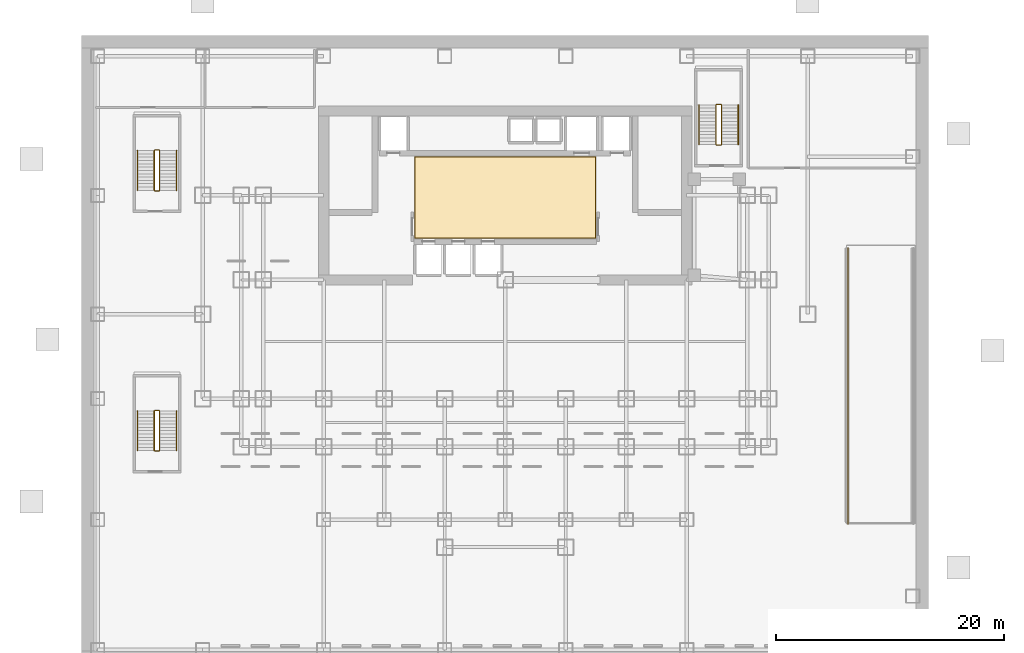
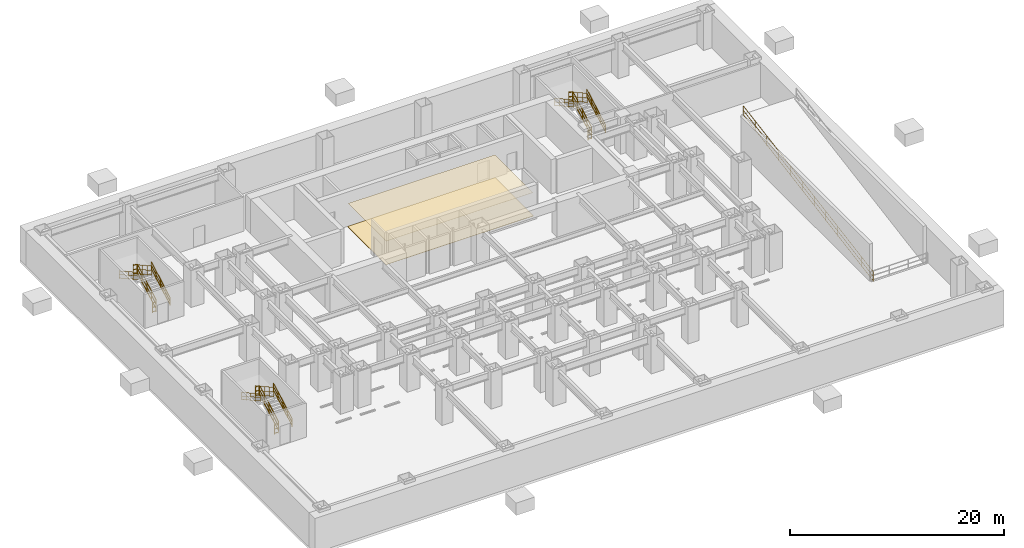
# One storey, part 6 of 7: 19 railings, 2 coverings.
"""IFC4 building model written with IfcOpenShell, lengths in metres."""

import ifcopenshell
import ifcopenshell.guid

model = None  # the IFC model being written
_history = None  # IfcOwnerHistory: only IFC2X3 demands one
_inside = {}  # id of a spatial element -> (the spatial element, [elements in it])
_under = {}  # id of a project, library or spatial element -> (it, [spatial elements below it])
_declared = {}  # id of a project -> (the project, [libraries it declares])
_typed = {}  # id of a type object -> (the type object, [elements of that type])
_made_of = {}  # id of a material, layer set ... -> (it, [elements and type objects made of it])


def new_model(schema):
    """Start an empty IFC model of exactly this schema.

    Asked for "IFC4X3", IfcOpenShell would pick the latest addendum, in which some entities
    have other attributes; the version numbers below select the first issue.
    IFC2X3 requires an IfcOwnerHistory on every rooted entity: one is made here for all.
    """
    global model, _history
    if schema == "IFC4X3":
        model = ifcopenshell.file(schema_version=(4, 3, 0, 0))
    else:
        model = ifcopenshell.file(schema=schema)
    _inside.clear()
    _under.clear()
    _declared.clear()
    _typed.clear()
    _made_of.clear()
    _history = None
    if model.schema == "IFC2X3":
        org = make("IfcOrganization", Name="unknown")
        user = make(
            "IfcPersonAndOrganization",
            ThePerson=make("IfcPerson", FamilyName="unknown"),
            TheOrganization=org,
        )
        app = make(
            "IfcApplication",
            ApplicationDeveloper=org,
            Version="unknown",
            ApplicationFullName="unknown",
            ApplicationIdentifier="unknown",
        )
        _history = make(
            "IfcOwnerHistory",
            OwningUser=user,
            OwningApplication=app,
            ChangeAction="ADDED",
            CreationDate=0,
        )
    return model


def make(cls, **values):
    """One entity of the class cls with the attributes given. An attribute that is None is left unset."""
    return model.create_entity(
        cls, **{name: value for name, value in values.items() if value is not None}
    )


def rooted(cls, **values):
    """An entity with a GlobalId (a new one), such as an element, a storey or a relation."""
    return make(cls, GlobalId=ifcopenshell.guid.new(), OwnerHistory=_history, **values)


def si_unit(unit_type, name, prefix=None):
    """IfcSIUnit, for example si_unit("LENGTHUNIT", "METRE", prefix="MILLI")."""
    return make("IfcSIUnit", UnitType=unit_type, Prefix=prefix, Name=name)


def assignment(units):
    """IfcUnitAssignment: the units of a project."""
    return None if units is None else make("IfcUnitAssignment", Units=units)


def point(xyz):
    """IfcCartesianPoint."""
    return None if xyz is None else make("IfcCartesianPoint", Coordinates=xyz)


def direction(xyz):
    """IfcDirection."""
    return None if xyz is None else make("IfcDirection", DirectionRatios=xyz)


def frame(location, z_axis=None, x_axis=None):
    """IfcAxis2Placement3D, a coordinate frame: its origin and axes. An axis left out is left unset."""
    return make(
        "IfcAxis2Placement3D",
        Location=point(location),
        Axis=direction(z_axis),
        RefDirection=direction(x_axis),
    )


def frame_2d(location, x_axis=None):
    """IfcAxis2Placement2D, a coordinate frame in the plane: its origin and x axis."""
    return make(
        "IfcAxis2Placement2D", Location=point(location), RefDirection=direction(x_axis)
    )


def origin():
    """The frame at (0, 0, 0) with its axes left unset."""
    return frame((0.0, 0.0, 0.0))


def origin_2d():
    """The frame at (0, 0) in the plane with its x axis left unset."""
    return frame_2d((0.0, 0.0))


def place(relative_to, where):
    """IfcLocalPlacement: puts the frame where relative to a parent placement (None: the world)."""
    return make(
        "IfcLocalPlacement", PlacementRelTo=relative_to, RelativePlacement=where
    )


def context(
    kind, dimensions, precision=None, world=None, true_north=None, identifier=None
):
    """IfcGeometricRepresentationContext, for example the 3D "Model" context."""
    return make(
        "IfcGeometricRepresentationContext",
        ContextIdentifier=identifier,
        ContextType=kind,
        CoordinateSpaceDimension=dimensions,
        Precision=precision,
        WorldCoordinateSystem=world,
        TrueNorth=true_north,
    )


def subcontext(parent, identifier, kind, view, scale=None):
    """IfcGeometricRepresentationSubContext, for example "Body" below "Model"."""
    return make(
        "IfcGeometricRepresentationSubContext",
        ContextIdentifier=identifier,
        ContextType=kind,
        ParentContext=parent,
        TargetScale=scale,
        TargetView=view,
    )


def project(units=None, contexts=None):
    """IfcProject with its units and contexts."""
    return rooted(
        "IfcProject",
        Name="project",
        RepresentationContexts=contexts,
        UnitsInContext=assignment(units),
    )


def spatial(cls, under=None, at=None, **own):
    """A site, building, storey or space (cls), placed at a placement, below another one or the project."""
    s = rooted(cls, ObjectPlacement=at, **own)
    if under is not None:
        _under.setdefault(under.id(), (under, []))[1].append(s)
    return s


def polyline(points):
    """IfcPolyline through the points."""
    return make("IfcPolyline", Points=[point(p) for p in points])


def profile(cls, at=None, kind="AREA", **sizes):
    """A parametric profile (cls). Its sizes go by their IFC names, for example OverallWidth=200.0."""
    return make(cls, ProfileType=kind, Position=at, **sizes)


def circle(**sizes):
    """IfcCircleProfileDef."""
    return profile("IfcCircleProfileDef", **sizes)


def outline(outer, holes=None, kind="AREA"):
    """IfcArbitraryClosedProfileDef: a profile drawn as a closed curve; with holes, ...WithVoids."""
    if holes is None:
        return make("IfcArbitraryClosedProfileDef", ProfileType=kind, OuterCurve=outer)
    return make(
        "IfcArbitraryProfileDefWithVoids",
        ProfileType=kind,
        OuterCurve=outer,
        InnerCurves=holes,
    )


def extrude(swept, where, along, depth):
    """IfcExtrudedAreaSolid: the profile swept, set in the frame where, extruded along a direction by depth."""
    return make(
        "IfcExtrudedAreaSolid",
        SweptArea=swept,
        Position=where,
        ExtrudedDirection=direction(along),
        Depth=depth,
    )


def shape(context_of_items, identifier, shape_type, items):
    """IfcShapeRepresentation: the items that make up one representation, for example the "Body"."""
    return make(
        "IfcShapeRepresentation",
        ContextOfItems=context_of_items,
        RepresentationIdentifier=identifier,
        RepresentationType=shape_type,
        Items=items,
    )


def material(Name=None, Category=None):
    """IfcMaterial."""
    return make("IfcMaterial", Name=Name, Category=Category)


def layer(
    of_material, thickness, ventilated=None, Name=None, Category=None, Priority=None
):
    """IfcMaterialLayer: one layer of a wall or slab, of a material (None: an air gap)."""
    return make(
        "IfcMaterialLayer",
        Material=of_material,
        LayerThickness=thickness,
        IsVentilated=ventilated,
        Name=Name,
        Category=Category,
        Priority=Priority,
    )


def layer_set(layers, Name=None):
    """IfcMaterialLayerSet."""
    return make("IfcMaterialLayerSet", MaterialLayers=layers, LayerSetName=Name)


def made_of(thing, what):
    """Note that an element or type object is made of a material, layer set ...; save() writes the relation."""
    if what is not None:
        _made_of.setdefault(what.id(), (what, []))[1].append(thing)
    return thing


def type_object(cls, material=None, **own):
    """A type object (cls), such as IfcWallType, which elements share."""
    return made_of(rooted(cls, **own), material)


def element(
    cls,
    number,
    at=None,
    inside=None,
    cuts=None,
    type_object=None,
    material=None,
    context=None,
    identifier="Body",
    shape_type=None,
    held_by="IfcProductDefinitionShape",
    body=None,
    shapes=None,
    **own,
):
    """One element of the class cls, such as IfcWall. Its Tag is "e" and its number.

    at: its placement. inside: the storey or other place that contains it. cuts: it is an
    opening in that element (IfcRelVoidsElement). A single representation is given by context,
    identifier, shape_type and body (its items); several are given by shapes. held_by: the class
    of the entity that holds the representations. save() writes the other relations.
    """
    e = rooted(cls, Tag="e%d" % number, ObjectPlacement=at, **own)
    if body is not None:
        shapes = [shape(context, identifier, shape_type, body)]
    if shapes is not None:
        e.Representation = make(held_by, Representations=shapes)
    if inside is not None:
        _inside.setdefault(inside.id(), (inside, []))[1].append(e)
    if cuts is not None:
        rooted(
            "IfcRelVoidsElement", RelatingBuildingElement=cuts, RelatedOpeningElement=e
        )
    if type_object is not None:
        _typed.setdefault(type_object.id(), (type_object, []))[1].append(e)
    return made_of(e, material)


def aggregate(whole, parts):
    """IfcRelAggregates: a whole, such as a stair, and the parts it consists of."""
    return rooted("IfcRelAggregates", RelatingObject=whole, RelatedObjects=parts)


def save(model, path):
    """Write the relations noted so far, then the file.

    IfcRelAggregates (storeys below a building ...), IfcRelContainedInSpatialStructure (elements
    in a storey), IfcRelDefinesByType, IfcRelAssociatesMaterial and IfcRelDeclares: one each for
    every whole, place, type object, material and project.
    """
    for whole, parts in _under.values():
        aggregate(whole, parts)
    for where, things in _inside.values():
        rooted(
            "IfcRelContainedInSpatialStructure",
            RelatedElements=things,
            RelatingStructure=where,
        )
    for kind, things in _typed.values():
        rooted("IfcRelDefinesByType", RelatedObjects=things, RelatingType=kind)
    for what, things in _made_of.values():
        rooted("IfcRelAssociatesMaterial", RelatedObjects=things, RelatingMaterial=what)
    for by, libraries in _declared.values():
        rooted("IfcRelDeclares", RelatingContext=by, RelatedDefinitions=libraries)
    model.write(path)


model = new_model("IFC4")

# Units and contexts
model_context = context("Model", 3, precision=1e-05, world=origin(), true_north=direction((0.0, 1.0)))
body_context = subcontext(model_context, "Body", "Model", "MODEL_VIEW")
ifc_project = project(units=[si_unit("LENGTHUNIT", "METRE"), si_unit("AREAUNIT", "SQUARE_METRE"), si_unit("VOLUMEUNIT", "CUBIC_METRE"), si_unit("PLANEANGLEUNIT", "RADIAN"), si_unit("MASSUNIT", "GRAM", prefix="KILO")], contexts=[model_context])

# Site, building, storey
site_placement = place(None, origin())
site = spatial("IfcSite", under=ifc_project, at=site_placement, CompositionType="ELEMENT")
building_placement = place(site_placement, origin())
building = spatial("IfcBuilding", under=site, at=building_placement, Name="Qianlan Lanfeng Residences", CompositionType="ELEMENT")
storey_placement = place(building_placement, frame((0.0, 0.0, -4.199951171875)))
storey = spatial("IfcBuildingStorey", under=building, at=storey_placement, Name="B1", CompositionType="ELEMENT", Elevation=-4.199951171875)

# Coverings
ifc_material_1 = material(Name="Acoustic Perforated Gypsum Ceiling Board")
ifc_layer_1 = layer(ifc_material_1, 0.02001953125)
ifc_layer_set_1 = layer_set([ifc_layer_1], Name="Acoustic Perforated Gypsum Ceiling Board")
covering_type_1 = type_object("IfcCoveringType", Name="CLG-GYP-15", PredefinedType="CEILING", material=ifc_layer_set_1)
covering_1_placement = place(storey_placement, frame((0.0, 0.0, 2.639892578125)))
element("IfcCovering", 1, at=covering_1_placement, inside=storey, type_object=covering_type_1, Name="B1 Lift Lobby Suspended Ceiling", PredefinedType="CEILING", context=body_context, shape_type="SweptSolid", body=[
    extrude(outline(polyline([(18.60009765625, 28.8701171875), (34.39990234375, 28.8701171875), (34.39990234375, 35.9599609375), (18.60009765625, 35.9599609375), (18.60009765625, 28.8701171875)])), origin(), (0.0, 0.0, 1.0), 0.02001953125),
])
ifc_material_2 = material(Name="Honed Taitung Granite Stone Flooring", Category="masonry")
ifc_layer_2 = layer(ifc_material_2, 0.030029296875)
ifc_layer_set_2 = layer_set([ifc_layer_2], Name="Honed Taitung Granite Stone Flooring")
covering_type_2 = type_object("IfcCoveringType", Name="FLR-STN-30", PredefinedType="FLOORING", material=ifc_layer_set_2)
covering_2_placement = place(storey_placement, origin())
element("IfcCovering", 2, at=covering_2_placement, inside=storey, type_object=covering_type_2, Name="B1 Lift Lobby Floor Finish", PredefinedType="FLOORING", context=body_context, shape_type="SweptSolid", body=[
    extrude(outline(polyline([(18.550048828125, 28.820068359375), (34.449951171875, 28.820068359375), (34.449951171875, 36.010009765625), (18.550048828125, 36.010009765625), (18.550048828125, 28.820068359375)])), origin(), (0.0, 0.0, 1.0), 0.030029296875),
])

# Railings
ifc_material_3 = material(Name="Painted Galvanised Steel Guardrail", Category="steel")
railing_type_1 = type_object("IfcRailingType", Name="GR-ST-1120", PredefinedType="GUARDRAIL", material=ifc_material_3)
railing_1_placement = place(storey_placement, frame((-3.760009765625, 33.050048828125, 0.161376953125)))
element("IfcRailing", 3, at=railing_1_placement, inside=storey, type_object=railing_type_1, Name="B1 ST-B1 stair guard 1", PredefinedType="GUARDRAIL", context=body_context, shape_type="SweptSolid", body=[
    extrude(circle(Radius=0.02392578125, at=origin_2d()), frame((0.0, 0.0, 0.083984375), z_axis=(0.0, 0.87360743253, 0.486631332559), x_axis=(-1.0, 0.0, 0.0)), (0.0, 0.0, 1.0), 3.9833984375),
    extrude(circle(Radius=0.02392578125, at=origin_2d()), frame((0.0, 0.0, 0.58251953125), z_axis=(0.0, 0.87360743253, 0.486631332559), x_axis=(-1.0, 0.0, 0.0)), (0.0, 0.0, 1.0), 3.9833984375),
    extrude(circle(Radius=0.02392578125, at=origin_2d()), frame((0.0, 0.0, 1.09619140625), z_axis=(0.0, 0.87360743253, 0.486631332559), x_axis=(-1.0, 0.0, 0.0)), (0.0, 0.0, 1.0), 3.9833984375),
    extrude(circle(Radius=0.02099609375, at=origin_2d()), origin(), (0.0, 0.0, 1.0), 1.072021484375),
    extrude(circle(Radius=0.02099609375, at=origin_2d()), frame((0.0, 0.8701171875, 0.484619140625)), (0.0, 0.0, 1.0), 1.072021484375),
    extrude(circle(Radius=0.02099609375, at=origin_2d()), frame((0.0, 1.739990234375, 0.96923828125)), (0.0, 0.0, 1.0), 1.072021484375),
    extrude(circle(Radius=0.02099609375, at=origin_2d()), frame((0.0, 2.60986328125, 1.453857421875)), (0.0, 0.0, 1.0), 1.072021484375),
    extrude(circle(Radius=0.02099609375, at=origin_2d()), frame((0.0, 3.47998046875, 1.9384765625)), (0.0, 0.0, 1.0), 1.072021484375),
])
railing_2_placement = place(storey_placement, frame((-3.81005859375, 36.580078125, 2.099853515625)))
element("IfcRailing", 4, at=railing_2_placement, inside=storey, type_object=railing_type_1, Name="B1 ST-B1 stair guard 2", PredefinedType="GUARDRAIL", context=body_context, shape_type="SweptSolid", body=[
    extrude(circle(Radius=0.02392578125, at=origin_2d()), frame((0.0, 0.0, 0.083984375), z_axis=(-1.0, 0.0, 0.0), x_axis=(0.0, -1.0, 0.0)), (0.0, 0.0, 1.0), 0.3798828125),
    extrude(circle(Radius=0.02392578125, at=origin_2d()), frame((0.0, 0.0, 0.58251953125), z_axis=(-1.0, 0.0, 0.0), x_axis=(0.0, -1.0, 0.0)), (0.0, 0.0, 1.0), 0.3798828125),
    extrude(circle(Radius=0.02392578125, at=origin_2d()), frame((0.0, 0.0, 1.09619140625), z_axis=(-1.0, 0.0, 0.0), x_axis=(0.0, -1.0, 0.0)), (0.0, 0.0, 1.0), 0.3798828125),
    extrude(circle(Radius=0.02099609375, at=origin_2d()), origin(), (0.0, 0.0, 1.0), 1.072021484375),
    extrude(circle(Radius=0.02099609375, at=origin_2d()), frame((-0.3798828125, 0.0, 0.0)), (0.0, 0.0, 1.0), 1.072021484375),
])
railing_3_placement = place(storey_placement, frame((-4.239990234375, 36.530029296875, 2.261474609375)))
element("IfcRailing", 5, at=railing_3_placement, inside=storey, type_object=railing_type_1, Name="B1 ST-B1 stair guard 3", PredefinedType="GUARDRAIL", context=body_context, shape_type="SweptSolid", body=[
    extrude(circle(Radius=0.02392578125, at=origin_2d()), frame((0.0, 0.0, 0.083984375), z_axis=(0.0, -0.87360743253, 0.486631332559), x_axis=(1.0, 0.0, 0.0)), (0.0, 0.0, 1.0), 3.9833984375),
    extrude(circle(Radius=0.02392578125, at=origin_2d()), frame((0.0, 0.0, 0.58251953125), z_axis=(0.0, -0.87360743253, 0.486631332559), x_axis=(1.0, 0.0, 0.0)), (0.0, 0.0, 1.0), 3.9833984375),
    extrude(circle(Radius=0.02392578125, at=origin_2d()), frame((0.0, 0.0, 1.09619140625), z_axis=(0.0, -0.87360743253, 0.486631332559), x_axis=(1.0, 0.0, 0.0)), (0.0, 0.0, 1.0), 3.9833984375),
    extrude(circle(Radius=0.02099609375, at=origin_2d()), origin(), (0.0, 0.0, 1.0), 1.072021484375),
    extrude(circle(Radius=0.02099609375, at=origin_2d()), frame((0.0, -0.8701171875, 0.484619140625)), (0.0, 0.0, 1.0), 1.072021484375),
    extrude(circle(Radius=0.02099609375, at=origin_2d()), frame((0.0, -1.739990234375, 0.96923828125)), (0.0, 0.0, 1.0), 1.072021484375),
    extrude(circle(Radius=0.02099609375, at=origin_2d()), frame((0.0, -2.60986328125, 1.453857421875)), (0.0, 0.0, 1.0), 1.072021484375),
    extrude(circle(Radius=0.02099609375, at=origin_2d()), frame((0.0, -3.47998046875, 1.9384765625)), (0.0, 0.0, 1.0), 1.072021484375),
])
railing_4_placement = place(storey_placement, frame((-3.81005859375, 33.0, 0.0)))
element("IfcRailing", 6, at=railing_4_placement, inside=storey, type_object=railing_type_1, Name="B1 ST-B1 stair guard 4", PredefinedType="GUARDRAIL", context=body_context, shape_type="SweptSolid", body=[
    extrude(circle(Radius=0.02392578125, at=origin_2d()), frame((0.0, 0.0, 0.083984375), z_axis=(-1.0, 0.0, 0.0), x_axis=(0.0, -1.0, 0.0)), (0.0, 0.0, 1.0), 0.3798828125),
    extrude(circle(Radius=0.02392578125, at=origin_2d()), frame((0.0, 0.0, 0.58251953125), z_axis=(-1.0, 0.0, 0.0), x_axis=(0.0, -1.0, 0.0)), (0.0, 0.0, 1.0), 0.3798828125),
    extrude(circle(Radius=0.02392578125, at=origin_2d()), frame((0.0, 0.0, 1.09619140625), z_axis=(-1.0, 0.0, 0.0), x_axis=(0.0, -1.0, 0.0)), (0.0, 0.0, 1.0), 0.3798828125),
    extrude(circle(Radius=0.02099609375, at=origin_2d()), origin(), (0.0, 0.0, 1.0), 1.072021484375),
    extrude(circle(Radius=0.02099609375, at=origin_2d()), frame((-0.3798828125, 0.0, 0.0)), (0.0, 0.0, 1.0), 1.072021484375),
])
railing_5_placement = place(storey_placement, frame((45.43994140625, 37.050048828125, 0.161376953125)))
element("IfcRailing", 7, at=railing_5_placement, inside=storey, type_object=railing_type_1, Name="B1 ST-B2 stair guard 1", PredefinedType="GUARDRAIL", context=body_context, shape_type="SweptSolid", body=[
    extrude(circle(Radius=0.02392578125, at=origin_2d()), frame((0.0, 0.0, 0.083984375), z_axis=(0.0, 0.87360743253, 0.486631332559), x_axis=(-1.0, 0.0, 0.0)), (0.0, 0.0, 1.0), 3.9833984375),
    extrude(circle(Radius=0.02392578125, at=origin_2d()), frame((0.0, 0.0, 0.58251953125), z_axis=(0.0, 0.87360743253, 0.486631332559), x_axis=(-1.0, 0.0, 0.0)), (0.0, 0.0, 1.0), 3.9833984375),
    extrude(circle(Radius=0.02392578125, at=origin_2d()), frame((0.0, 0.0, 1.09619140625), z_axis=(0.0, 0.87360743253, 0.486631332559), x_axis=(-1.0, 0.0, 0.0)), (0.0, 0.0, 1.0), 3.9833984375),
    extrude(circle(Radius=0.02099609375, at=origin_2d()), origin(), (0.0, 0.0, 1.0), 1.072021484375),
    extrude(circle(Radius=0.02099609375, at=origin_2d()), frame((0.0, 0.8701171875, 0.484619140625)), (0.0, 0.0, 1.0), 1.072021484375),
    extrude(circle(Radius=0.02099609375, at=origin_2d()), frame((0.0, 1.739990234375, 0.96923828125)), (0.0, 0.0, 1.0), 1.072021484375),
    extrude(circle(Radius=0.02099609375, at=origin_2d()), frame((0.0, 2.60986328125, 1.453857421875)), (0.0, 0.0, 1.0), 1.072021484375),
    extrude(circle(Radius=0.02099609375, at=origin_2d()), frame((0.0, 3.47998046875, 1.9384765625)), (0.0, 0.0, 1.0), 1.072021484375),
])
railing_6_placement = place(storey_placement, frame((45.389892578125, 40.580078125, 2.099853515625)))
element("IfcRailing", 8, at=railing_6_placement, inside=storey, type_object=railing_type_1, Name="B1 ST-B2 stair guard 2", PredefinedType="GUARDRAIL", context=body_context, shape_type="SweptSolid", body=[
    extrude(circle(Radius=0.02392578125, at=origin_2d()), frame((0.0, 0.0, 0.083984375), z_axis=(-1.0, 0.0, 0.0), x_axis=(0.0, -1.0, 0.0)), (0.0, 0.0, 1.0), 0.3798828125),
    extrude(circle(Radius=0.02392578125, at=origin_2d()), frame((0.0, 0.0, 0.58251953125), z_axis=(-1.0, 0.0, 0.0), x_axis=(0.0, -1.0, 0.0)), (0.0, 0.0, 1.0), 0.3798828125),
    extrude(circle(Radius=0.02392578125, at=origin_2d()), frame((0.0, 0.0, 1.09619140625), z_axis=(-1.0, 0.0, 0.0), x_axis=(0.0, -1.0, 0.0)), (0.0, 0.0, 1.0), 0.3798828125),
    extrude(circle(Radius=0.02099609375, at=origin_2d()), origin(), (0.0, 0.0, 1.0), 1.072021484375),
    extrude(circle(Radius=0.02099609375, at=origin_2d()), frame((-0.3798828125, 0.0, 0.0)), (0.0, 0.0, 1.0), 1.072021484375),
])
railing_7_placement = place(storey_placement, frame((44.9599609375, 40.530029296875, 2.261474609375)))
element("IfcRailing", 9, at=railing_7_placement, inside=storey, type_object=railing_type_1, Name="B1 ST-B2 stair guard 3", PredefinedType="GUARDRAIL", context=body_context, shape_type="SweptSolid", body=[
    extrude(circle(Radius=0.02392578125, at=origin_2d()), frame((0.0, 0.0, 0.083984375), z_axis=(0.0, -0.87360743253, 0.486631332559), x_axis=(1.0, 0.0, 0.0)), (0.0, 0.0, 1.0), 3.9833984375),
    extrude(circle(Radius=0.02392578125, at=origin_2d()), frame((0.0, 0.0, 0.58251953125), z_axis=(0.0, -0.87360743253, 0.486631332559), x_axis=(1.0, 0.0, 0.0)), (0.0, 0.0, 1.0), 3.9833984375),
    extrude(circle(Radius=0.02392578125, at=origin_2d()), frame((0.0, 0.0, 1.09619140625), z_axis=(0.0, -0.87360743253, 0.486631332559), x_axis=(1.0, 0.0, 0.0)), (0.0, 0.0, 1.0), 3.9833984375),
    extrude(circle(Radius=0.02099609375, at=origin_2d()), origin(), (0.0, 0.0, 1.0), 1.072021484375),
    extrude(circle(Radius=0.02099609375, at=origin_2d()), frame((0.0, -0.8701171875, 0.484619140625)), (0.0, 0.0, 1.0), 1.072021484375),
    extrude(circle(Radius=0.02099609375, at=origin_2d()), frame((0.0, -1.739990234375, 0.96923828125)), (0.0, 0.0, 1.0), 1.072021484375),
    extrude(circle(Radius=0.02099609375, at=origin_2d()), frame((0.0, -2.60986328125, 1.453857421875)), (0.0, 0.0, 1.0), 1.072021484375),
    extrude(circle(Radius=0.02099609375, at=origin_2d()), frame((0.0, -3.47998046875, 1.9384765625)), (0.0, 0.0, 1.0), 1.072021484375),
])
railing_8_placement = place(storey_placement, frame((45.389892578125, 37.0, 0.0)))
element("IfcRailing", 10, at=railing_8_placement, inside=storey, type_object=railing_type_1, Name="B1 ST-B2 stair guard 4", PredefinedType="GUARDRAIL", context=body_context, shape_type="SweptSolid", body=[
    extrude(circle(Radius=0.02392578125, at=origin_2d()), frame((0.0, 0.0, 0.083984375), z_axis=(-1.0, 0.0, 0.0), x_axis=(0.0, -1.0, 0.0)), (0.0, 0.0, 1.0), 0.3798828125),
    extrude(circle(Radius=0.02392578125, at=origin_2d()), frame((0.0, 0.0, 0.58251953125), z_axis=(-1.0, 0.0, 0.0), x_axis=(0.0, -1.0, 0.0)), (0.0, 0.0, 1.0), 0.3798828125),
    extrude(circle(Radius=0.02392578125, at=origin_2d()), frame((0.0, 0.0, 1.09619140625), z_axis=(-1.0, 0.0, 0.0), x_axis=(0.0, -1.0, 0.0)), (0.0, 0.0, 1.0), 0.3798828125),
    extrude(circle(Radius=0.02099609375, at=origin_2d()), origin(), (0.0, 0.0, 1.0), 1.072021484375),
    extrude(circle(Radius=0.02099609375, at=origin_2d()), frame((-0.3798828125, 0.0, 0.0)), (0.0, 0.0, 1.0), 1.072021484375),
])
railing_9_placement = place(storey_placement, frame((-3.760009765625, 10.25, 0.161376953125)))
element("IfcRailing", 11, at=railing_9_placement, inside=storey, type_object=railing_type_1, Name="B1 ST-BP1 stair guard 1", PredefinedType="GUARDRAIL", context=body_context, shape_type="SweptSolid", body=[
    extrude(circle(Radius=0.02392578125, at=origin_2d()), frame((0.0, 0.0, 0.083984375), z_axis=(0.0, 0.87360743253, 0.486631332559), x_axis=(-1.0, 0.0, 0.0)), (0.0, 0.0, 1.0), 3.9833984375),
    extrude(circle(Radius=0.02392578125, at=origin_2d()), frame((0.0, 0.0, 0.58251953125), z_axis=(0.0, 0.87360743253, 0.486631332559), x_axis=(-1.0, 0.0, 0.0)), (0.0, 0.0, 1.0), 3.9833984375),
    extrude(circle(Radius=0.02392578125, at=origin_2d()), frame((0.0, 0.0, 1.09619140625), z_axis=(0.0, 0.87360743253, 0.486631332559), x_axis=(-1.0, 0.0, 0.0)), (0.0, 0.0, 1.0), 3.9833984375),
    extrude(circle(Radius=0.02099609375, at=origin_2d()), origin(), (0.0, 0.0, 1.0), 1.072021484375),
    extrude(circle(Radius=0.02099609375, at=origin_2d()), frame((0.0, 0.8701171875, 0.484619140625)), (0.0, 0.0, 1.0), 1.072021484375),
    extrude(circle(Radius=0.02099609375, at=origin_2d()), frame((0.0, 1.739990234375, 0.96923828125)), (0.0, 0.0, 1.0), 1.072021484375),
    extrude(circle(Radius=0.02099609375, at=origin_2d()), frame((0.0, 2.60986328125, 1.453857421875)), (0.0, 0.0, 1.0), 1.072021484375),
    extrude(circle(Radius=0.02099609375, at=origin_2d()), frame((0.0, 3.47998046875, 1.9384765625)), (0.0, 0.0, 1.0), 1.072021484375),
])
railing_10_placement = place(storey_placement, frame((-3.81005859375, 13.780029296875, 2.099853515625)))
element("IfcRailing", 12, at=railing_10_placement, inside=storey, type_object=railing_type_1, Name="B1 ST-BP1 stair guard 2", PredefinedType="GUARDRAIL", context=body_context, shape_type="SweptSolid", body=[
    extrude(circle(Radius=0.02392578125, at=origin_2d()), frame((0.0, 0.0, 0.083984375), z_axis=(-1.0, 0.0, 0.0), x_axis=(0.0, -1.0, 0.0)), (0.0, 0.0, 1.0), 0.3798828125),
    extrude(circle(Radius=0.02392578125, at=origin_2d()), frame((0.0, 0.0, 0.58251953125), z_axis=(-1.0, 0.0, 0.0), x_axis=(0.0, -1.0, 0.0)), (0.0, 0.0, 1.0), 0.3798828125),
    extrude(circle(Radius=0.02392578125, at=origin_2d()), frame((0.0, 0.0, 1.09619140625), z_axis=(-1.0, 0.0, 0.0), x_axis=(0.0, -1.0, 0.0)), (0.0, 0.0, 1.0), 0.3798828125),
    extrude(circle(Radius=0.02099609375, at=origin_2d()), origin(), (0.0, 0.0, 1.0), 1.072021484375),
    extrude(circle(Radius=0.02099609375, at=origin_2d()), frame((-0.3798828125, 0.0, 0.0)), (0.0, 0.0, 1.0), 1.072021484375),
])
railing_11_placement = place(storey_placement, frame((-4.239990234375, 13.72998046875, 2.261474609375)))
element("IfcRailing", 13, at=railing_11_placement, inside=storey, type_object=railing_type_1, Name="B1 ST-BP1 stair guard 3", PredefinedType="GUARDRAIL", context=body_context, shape_type="SweptSolid", body=[
    extrude(circle(Radius=0.02392578125, at=origin_2d()), frame((0.0, 0.0, 0.083984375), z_axis=(0.0, -0.87360743253, 0.486631332559), x_axis=(1.0, 0.0, 0.0)), (0.0, 0.0, 1.0), 3.9833984375),
    extrude(circle(Radius=0.02392578125, at=origin_2d()), frame((0.0, 0.0, 0.58251953125), z_axis=(0.0, -0.87360743253, 0.486631332559), x_axis=(1.0, 0.0, 0.0)), (0.0, 0.0, 1.0), 3.9833984375),
    extrude(circle(Radius=0.02392578125, at=origin_2d()), frame((0.0, 0.0, 1.09619140625), z_axis=(0.0, -0.87360743253, 0.486631332559), x_axis=(1.0, 0.0, 0.0)), (0.0, 0.0, 1.0), 3.9833984375),
    extrude(circle(Radius=0.02099609375, at=origin_2d()), origin(), (0.0, 0.0, 1.0), 1.072021484375),
    extrude(circle(Radius=0.02099609375, at=origin_2d()), frame((0.0, -0.8701171875, 0.484619140625)), (0.0, 0.0, 1.0), 1.072021484375),
    extrude(circle(Radius=0.02099609375, at=origin_2d()), frame((0.0, -1.739990234375, 0.96923828125)), (0.0, 0.0, 1.0), 1.072021484375),
    extrude(circle(Radius=0.02099609375, at=origin_2d()), frame((0.0, -2.60986328125, 1.453857421875)), (0.0, 0.0, 1.0), 1.072021484375),
    extrude(circle(Radius=0.02099609375, at=origin_2d()), frame((0.0, -3.47998046875, 1.9384765625)), (0.0, 0.0, 1.0), 1.072021484375),
])
railing_12_placement = place(storey_placement, frame((-3.81005859375, 10.199951171875, 0.0)))
element("IfcRailing", 14, at=railing_12_placement, inside=storey, type_object=railing_type_1, Name="B1 ST-BP1 stair guard 4", PredefinedType="GUARDRAIL", context=body_context, shape_type="SweptSolid", body=[
    extrude(circle(Radius=0.02392578125, at=origin_2d()), frame((0.0, 0.0, 0.083984375), z_axis=(-1.0, 0.0, 0.0), x_axis=(0.0, -1.0, 0.0)), (0.0, 0.0, 1.0), 0.3798828125),
    extrude(circle(Radius=0.02392578125, at=origin_2d()), frame((0.0, 0.0, 0.58251953125), z_axis=(-1.0, 0.0, 0.0), x_axis=(0.0, -1.0, 0.0)), (0.0, 0.0, 1.0), 0.3798828125),
    extrude(circle(Radius=0.02392578125, at=origin_2d()), frame((0.0, 0.0, 1.09619140625), z_axis=(-1.0, 0.0, 0.0), x_axis=(0.0, -1.0, 0.0)), (0.0, 0.0, 1.0), 0.3798828125),
    extrude(circle(Radius=0.02099609375, at=origin_2d()), origin(), (0.0, 0.0, 1.0), 1.072021484375),
    extrude(circle(Radius=0.02099609375, at=origin_2d()), frame((-0.3798828125, 0.0, 0.0)), (0.0, 0.0, 1.0), 1.072021484375),
])
railing_13_placement = place(storey_placement, frame((56.550048828125, 3.800048828125, 0.0)))
element("IfcRailing", 15, at=railing_13_placement, inside=storey, type_object=railing_type_1, Name="Vehicle Ramp Side Guard B1-W", PredefinedType="GUARDRAIL", context=body_context, shape_type="SweptSolid", body=[
    extrude(circle(Radius=0.02392578125, at=origin_2d()), frame((0.0, 0.0, 0.083984375), z_axis=(0.0, 0.985271734917, 0.170995930871), x_axis=(-1.0, 0.0, 0.0)), (0.0, 0.0, 1.0), 24.561767578125),
    extrude(circle(Radius=0.02392578125, at=origin_2d()), frame((0.0, 0.0, 0.58251953125), z_axis=(0.0, 0.985271734917, 0.170995930871), x_axis=(-1.0, 0.0, 0.0)), (0.0, 0.0, 1.0), 24.561767578125),
    extrude(circle(Radius=0.02392578125, at=origin_2d()), frame((0.0, 0.0, 1.09619140625), z_axis=(0.0, 0.985271734917, 0.170995930871), x_axis=(-1.0, 0.0, 0.0)), (0.0, 0.0, 1.0), 24.561767578125),
    extrude(circle(Radius=0.02099609375, at=origin_2d()), origin(), (0.0, 0.0, 1.0), 1.072021484375),
    extrude(circle(Radius=0.02099609375, at=origin_2d()), frame((0.0, 2.199951171875, 0.3818359375)), (0.0, 0.0, 1.0), 1.072021484375),
    extrude(circle(Radius=0.02099609375, at=origin_2d()), frame((0.0, 4.39990234375, 0.763671875)), (0.0, 0.0, 1.0), 1.072021484375),
    extrude(circle(Radius=0.02099609375, at=origin_2d()), frame((0.0, 6.60009765625, 1.1455078125)), (0.0, 0.0, 1.0), 1.072021484375),
    extrude(circle(Radius=0.02099609375, at=origin_2d()), frame((0.0, 8.800048828125, 1.52734375)), (0.0, 0.0, 1.0), 1.072021484375),
    extrude(circle(Radius=0.02099609375, at=origin_2d()), frame((0.0, 11.0, 1.9091796875)), (0.0, 0.0, 1.0), 1.072021484375),
    extrude(circle(Radius=0.02099609375, at=origin_2d()), frame((0.0, 13.199951171875, 2.290771484375)), (0.0, 0.0, 1.0), 1.072021484375),
    extrude(circle(Radius=0.02099609375, at=origin_2d()), frame((0.0, 15.39990234375, 2.672607421875)), (0.0, 0.0, 1.0), 1.072021484375),
    extrude(circle(Radius=0.02099609375, at=origin_2d()), frame((0.0, 17.599853515625, 3.054443359375)), (0.0, 0.0, 1.0), 1.072021484375),
    extrude(circle(Radius=0.02099609375, at=origin_2d()), frame((0.0, 19.800048828125, 3.436279296875)), (0.0, 0.0, 1.0), 1.072021484375),
    extrude(circle(Radius=0.02099609375, at=origin_2d()), frame((0.0, 22.0, 3.818115234375)), (0.0, 0.0, 1.0), 1.072021484375),
    extrude(circle(Radius=0.02099609375, at=origin_2d()), frame((0.0, 24.199951171875, 4.199951171875)), (0.0, 0.0, 1.0), 1.072021484375),
])
ifc_material_4 = material(Name="Brushed Stainless Steel Handrail", Category="steel")
railing_type_2 = type_object("IfcRailingType", Name="HR-ST-920", PredefinedType="HANDRAIL", material=ifc_material_4)
railing_14_placement = place(storey_placement, frame((-2.280029296875, 33.050048828125, 0.161376953125)))
element("IfcRailing", 16, at=railing_14_placement, inside=storey, type_object=railing_type_2, Name="B1 ST-B1 stair handrail 1", PredefinedType="HANDRAIL", context=body_context, shape_type="SweptSolid", body=[
    extrude(circle(Radius=0.02392578125, at=origin_2d()), frame((0.0, 0.0, 0.083984375), z_axis=(0.0, 0.87360743253, 0.486631332559), x_axis=(-1.0, 0.0, 0.0)), (0.0, 0.0, 1.0), 3.9833984375),
    extrude(circle(Radius=0.02392578125, at=origin_2d()), frame((0.0, 0.0, 0.468017578125), z_axis=(0.0, 0.87360743253, 0.486631332559), x_axis=(-1.0, 0.0, 0.0)), (0.0, 0.0, 1.0), 3.9833984375),
    extrude(circle(Radius=0.02392578125, at=origin_2d()), frame((0.0, 0.0, 0.8759765625), z_axis=(0.0, 0.87360743253, 0.486631332559), x_axis=(-1.0, 0.0, 0.0)), (0.0, 0.0, 1.0), 3.9833984375),
    extrude(circle(Radius=0.02099609375, at=origin_2d()), origin(), (0.0, 0.0, 1.0), 0.851806640625),
    extrude(circle(Radius=0.02099609375, at=origin_2d()), frame((0.0, 0.8701171875, 0.484619140625)), (0.0, 0.0, 1.0), 0.851806640625),
    extrude(circle(Radius=0.02099609375, at=origin_2d()), frame((0.0, 1.739990234375, 0.96923828125)), (0.0, 0.0, 1.0), 0.851806640625),
    extrude(circle(Radius=0.02099609375, at=origin_2d()), frame((0.0, 2.60986328125, 1.453857421875)), (0.0, 0.0, 1.0), 0.851806640625),
    extrude(circle(Radius=0.02099609375, at=origin_2d()), frame((0.0, 3.47998046875, 1.9384765625)), (0.0, 0.0, 1.0), 0.851806640625),
])
railing_15_placement = place(storey_placement, frame((-5.719970703125, 36.530029296875, 2.261474609375)))
element("IfcRailing", 17, at=railing_15_placement, inside=storey, type_object=railing_type_2, Name="B1 ST-B1 stair handrail 2", PredefinedType="HANDRAIL", context=body_context, shape_type="SweptSolid", body=[
    extrude(circle(Radius=0.02392578125, at=origin_2d()), frame((0.0, 0.0, 0.083984375), z_axis=(0.0, -0.87360743253, 0.486631332559), x_axis=(1.0, 0.0, 0.0)), (0.0, 0.0, 1.0), 3.9833984375),
    extrude(circle(Radius=0.02392578125, at=origin_2d()), frame((0.0, 0.0, 0.468017578125), z_axis=(0.0, -0.87360743253, 0.486631332559), x_axis=(1.0, 0.0, 0.0)), (0.0, 0.0, 1.0), 3.9833984375),
    extrude(circle(Radius=0.02392578125, at=origin_2d()), frame((0.0, 0.0, 0.8759765625), z_axis=(0.0, -0.87360743253, 0.486631332559), x_axis=(1.0, 0.0, 0.0)), (0.0, 0.0, 1.0), 3.9833984375),
    extrude(circle(Radius=0.02099609375, at=origin_2d()), origin(), (0.0, 0.0, 1.0), 0.851806640625),
    extrude(circle(Radius=0.02099609375, at=origin_2d()), frame((0.0, -0.8701171875, 0.484619140625)), (0.0, 0.0, 1.0), 0.851806640625),
    extrude(circle(Radius=0.02099609375, at=origin_2d()), frame((0.0, -1.739990234375, 0.96923828125)), (0.0, 0.0, 1.0), 0.851806640625),
    extrude(circle(Radius=0.02099609375, at=origin_2d()), frame((0.0, -2.60986328125, 1.453857421875)), (0.0, 0.0, 1.0), 0.851806640625),
    extrude(circle(Radius=0.02099609375, at=origin_2d()), frame((0.0, -3.47998046875, 1.9384765625)), (0.0, 0.0, 1.0), 0.851806640625),
])
railing_16_placement = place(storey_placement, frame((46.919921875, 37.050048828125, 0.161376953125)))
element("IfcRailing", 18, at=railing_16_placement, inside=storey, type_object=railing_type_2, Name="B1 ST-B2 stair handrail 1", PredefinedType="HANDRAIL", context=body_context, shape_type="SweptSolid", body=[
    extrude(circle(Radius=0.02392578125, at=origin_2d()), frame((0.0, 0.0, 0.083984375), z_axis=(0.0, 0.87360743253, 0.486631332559), x_axis=(-1.0, 0.0, 0.0)), (0.0, 0.0, 1.0), 3.9833984375),
    extrude(circle(Radius=0.02392578125, at=origin_2d()), frame((0.0, 0.0, 0.468017578125), z_axis=(0.0, 0.87360743253, 0.486631332559), x_axis=(-1.0, 0.0, 0.0)), (0.0, 0.0, 1.0), 3.9833984375),
    extrude(circle(Radius=0.02392578125, at=origin_2d()), frame((0.0, 0.0, 0.8759765625), z_axis=(0.0, 0.87360743253, 0.486631332559), x_axis=(-1.0, 0.0, 0.0)), (0.0, 0.0, 1.0), 3.9833984375),
    extrude(circle(Radius=0.02099609375, at=origin_2d()), origin(), (0.0, 0.0, 1.0), 0.851806640625),
    extrude(circle(Radius=0.02099609375, at=origin_2d()), frame((0.0, 0.8701171875, 0.484619140625)), (0.0, 0.0, 1.0), 0.851806640625),
    extrude(circle(Radius=0.02099609375, at=origin_2d()), frame((0.0, 1.739990234375, 0.96923828125)), (0.0, 0.0, 1.0), 0.851806640625),
    extrude(circle(Radius=0.02099609375, at=origin_2d()), frame((0.0, 2.60986328125, 1.453857421875)), (0.0, 0.0, 1.0), 0.851806640625),
    extrude(circle(Radius=0.02099609375, at=origin_2d()), frame((0.0, 3.47998046875, 1.9384765625)), (0.0, 0.0, 1.0), 0.851806640625),
])
railing_17_placement = place(storey_placement, frame((43.47998046875, 40.530029296875, 2.261474609375)))
element("IfcRailing", 19, at=railing_17_placement, inside=storey, type_object=railing_type_2, Name="B1 ST-B2 stair handrail 2", PredefinedType="HANDRAIL", context=body_context, shape_type="SweptSolid", body=[
    extrude(circle(Radius=0.02392578125, at=origin_2d()), frame((0.0, 0.0, 0.083984375), z_axis=(0.0, -0.87360743253, 0.486631332559), x_axis=(1.0, 0.0, 0.0)), (0.0, 0.0, 1.0), 3.9833984375),
    extrude(circle(Radius=0.02392578125, at=origin_2d()), frame((0.0, 0.0, 0.468017578125), z_axis=(0.0, -0.87360743253, 0.486631332559), x_axis=(1.0, 0.0, 0.0)), (0.0, 0.0, 1.0), 3.9833984375),
    extrude(circle(Radius=0.02392578125, at=origin_2d()), frame((0.0, 0.0, 0.8759765625), z_axis=(0.0, -0.87360743253, 0.486631332559), x_axis=(1.0, 0.0, 0.0)), (0.0, 0.0, 1.0), 3.9833984375),
    extrude(circle(Radius=0.02099609375, at=origin_2d()), origin(), (0.0, 0.0, 1.0), 0.851806640625),
    extrude(circle(Radius=0.02099609375, at=origin_2d()), frame((0.0, -0.8701171875, 0.484619140625)), (0.0, 0.0, 1.0), 0.851806640625),
    extrude(circle(Radius=0.02099609375, at=origin_2d()), frame((0.0, -1.739990234375, 0.96923828125)), (0.0, 0.0, 1.0), 0.851806640625),
    extrude(circle(Radius=0.02099609375, at=origin_2d()), frame((0.0, -2.60986328125, 1.453857421875)), (0.0, 0.0, 1.0), 0.851806640625),
    extrude(circle(Radius=0.02099609375, at=origin_2d()), frame((0.0, -3.47998046875, 1.9384765625)), (0.0, 0.0, 1.0), 0.851806640625),
])
railing_18_placement = place(storey_placement, frame((-2.280029296875, 10.25, 0.161376953125)))
element("IfcRailing", 20, at=railing_18_placement, inside=storey, type_object=railing_type_2, Name="B1 ST-BP1 stair handrail 1", PredefinedType="HANDRAIL", context=body_context, shape_type="SweptSolid", body=[
    extrude(circle(Radius=0.02392578125, at=origin_2d()), frame((0.0, 0.0, 0.083984375), z_axis=(0.0, 0.87360743253, 0.486631332559), x_axis=(-1.0, 0.0, 0.0)), (0.0, 0.0, 1.0), 3.9833984375),
    extrude(circle(Radius=0.02392578125, at=origin_2d()), frame((0.0, 0.0, 0.468017578125), z_axis=(0.0, 0.87360743253, 0.486631332559), x_axis=(-1.0, 0.0, 0.0)), (0.0, 0.0, 1.0), 3.9833984375),
    extrude(circle(Radius=0.02392578125, at=origin_2d()), frame((0.0, 0.0, 0.8759765625), z_axis=(0.0, 0.87360743253, 0.486631332559), x_axis=(-1.0, 0.0, 0.0)), (0.0, 0.0, 1.0), 3.9833984375),
    extrude(circle(Radius=0.02099609375, at=origin_2d()), origin(), (0.0, 0.0, 1.0), 0.851806640625),
    extrude(circle(Radius=0.02099609375, at=origin_2d()), frame((0.0, 0.8701171875, 0.484619140625)), (0.0, 0.0, 1.0), 0.851806640625),
    extrude(circle(Radius=0.02099609375, at=origin_2d()), frame((0.0, 1.739990234375, 0.96923828125)), (0.0, 0.0, 1.0), 0.851806640625),
    extrude(circle(Radius=0.02099609375, at=origin_2d()), frame((0.0, 2.60986328125, 1.453857421875)), (0.0, 0.0, 1.0), 0.851806640625),
    extrude(circle(Radius=0.02099609375, at=origin_2d()), frame((0.0, 3.47998046875, 1.9384765625)), (0.0, 0.0, 1.0), 0.851806640625),
])
railing_19_placement = place(storey_placement, frame((-5.719970703125, 13.72998046875, 2.261474609375)))
element("IfcRailing", 21, at=railing_19_placement, inside=storey, type_object=railing_type_2, Name="B1 ST-BP1 stair handrail 2", PredefinedType="HANDRAIL", context=body_context, shape_type="SweptSolid", body=[
    extrude(circle(Radius=0.02392578125, at=origin_2d()), frame((0.0, 0.0, 0.083984375), z_axis=(0.0, -0.87360743253, 0.486631332559), x_axis=(1.0, 0.0, 0.0)), (0.0, 0.0, 1.0), 3.9833984375),
    extrude(circle(Radius=0.02392578125, at=origin_2d()), frame((0.0, 0.0, 0.468017578125), z_axis=(0.0, -0.87360743253, 0.486631332559), x_axis=(1.0, 0.0, 0.0)), (0.0, 0.0, 1.0), 3.9833984375),
    extrude(circle(Radius=0.02392578125, at=origin_2d()), frame((0.0, 0.0, 0.8759765625), z_axis=(0.0, -0.87360743253, 0.486631332559), x_axis=(1.0, 0.0, 0.0)), (0.0, 0.0, 1.0), 3.9833984375),
    extrude(circle(Radius=0.02099609375, at=origin_2d()), origin(), (0.0, 0.0, 1.0), 0.851806640625),
    extrude(circle(Radius=0.02099609375, at=origin_2d()), frame((0.0, -0.8701171875, 0.484619140625)), (0.0, 0.0, 1.0), 0.851806640625),
    extrude(circle(Radius=0.02099609375, at=origin_2d()), frame((0.0, -1.739990234375, 0.96923828125)), (0.0, 0.0, 1.0), 0.851806640625),
    extrude(circle(Radius=0.02099609375, at=origin_2d()), frame((0.0, -2.60986328125, 1.453857421875)), (0.0, 0.0, 1.0), 0.851806640625),
    extrude(circle(Radius=0.02099609375, at=origin_2d()), frame((0.0, -3.47998046875, 1.9384765625)), (0.0, 0.0, 1.0), 0.851806640625),
])

save(model, "model.ifc")
